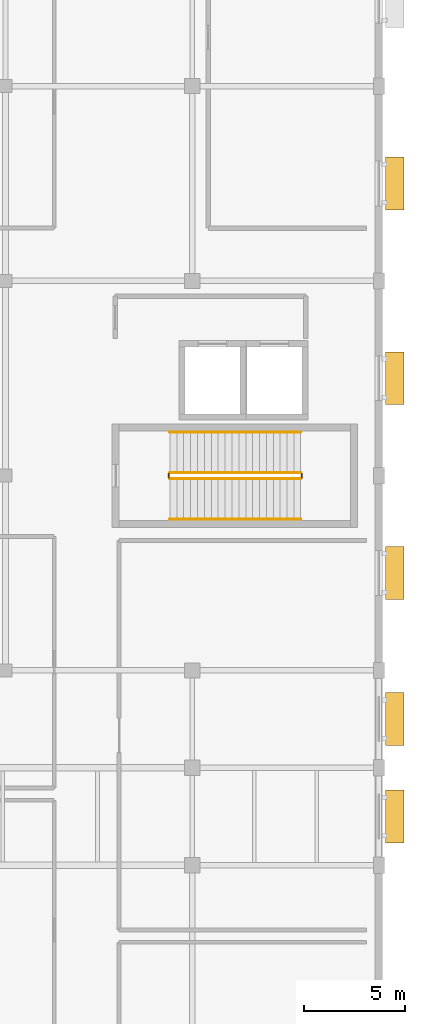
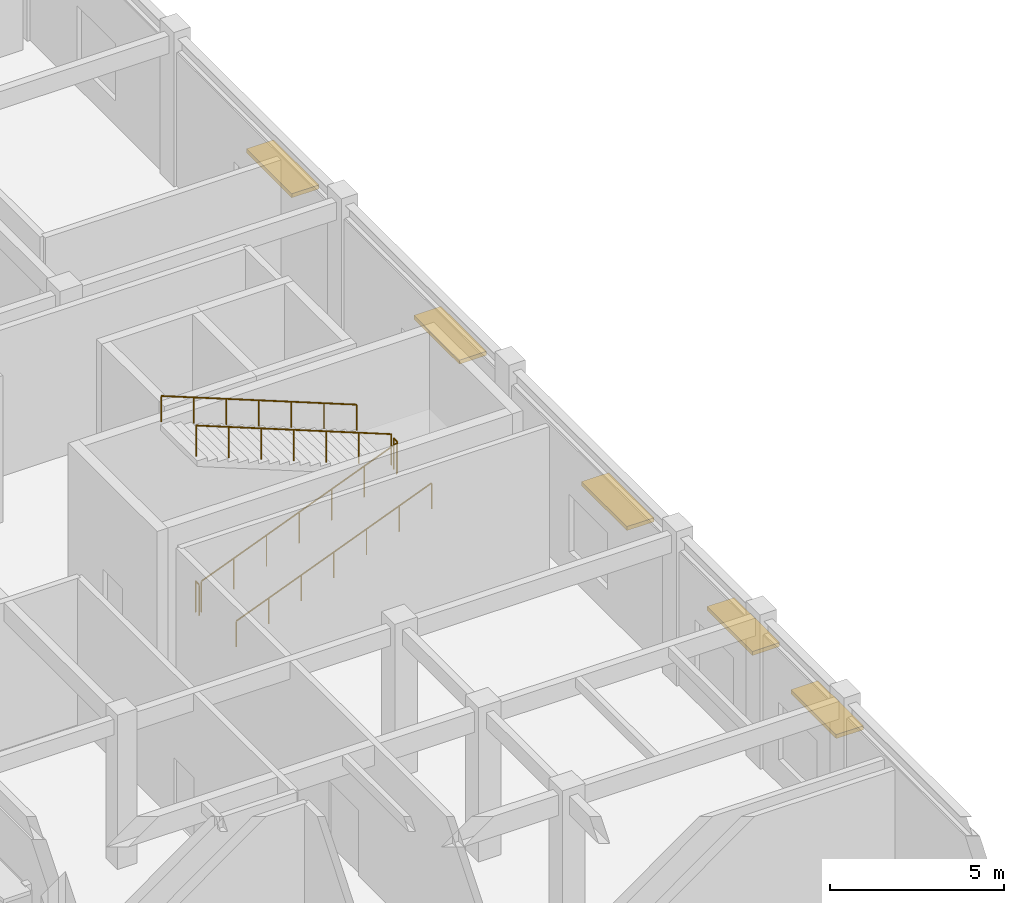
# One storey, part 70 of 72: 6 railings, 5 shading devices.
"""IFC4 building model written with IfcOpenShell, lengths in metres."""

from ifc_helpers import new_model, si_unit, direction, frame, origin, origin_2d, place, context, subcontext, project, spatial, rectangle, circle, extrude, material, type_object, element, save


model = new_model("IFC4")

# Units and contexts
model_context = context("Model", 3, precision=1e-05, world=origin(), true_north=direction((0.0, 1.0)))
body_context = subcontext(model_context, "Body", "Model", "MODEL_VIEW")
ifc_project = project(units=[si_unit("LENGTHUNIT", "METRE"), si_unit("AREAUNIT", "SQUARE_METRE"), si_unit("VOLUMEUNIT", "CUBIC_METRE"), si_unit("PLANEANGLEUNIT", "RADIAN"), si_unit("MASSUNIT", "GRAM", prefix="KILO")], contexts=[model_context])

# Site, building, storey
site_placement = place(None, origin())
site = spatial("IfcSite", under=ifc_project, at=site_placement, CompositionType="ELEMENT")
building_placement = place(site_placement, origin())
building = spatial("IfcBuilding", under=site, at=building_placement, Name="Veldera Park Congress Hotel", CompositionType="ELEMENT")
storey_placement = place(building_placement, frame((0.0, 0.0, 5.39990234375)))
storey = spatial("IfcBuildingStorey", under=building, at=storey_placement, Name="L01", CompositionType="ELEMENT", Elevation=5.39990234375)

# Railings
ifc_material_1 = material(Name="Steel ASTM A992 Gr.50", Category="steel")
railing_type_1 = type_object("IfcRailingType", Name="GRD-ST110", PredefinedType="GUARDRAIL", material=ifc_material_1)
railing_1_placement = place(storey_placement, frame((73.699951171875, -9.14990234375, 0.135009765625)))
element("IfcRailing", 1, at=railing_1_placement, inside=storey, type_object=railing_type_1, Name="L01 ST2 stair guard 1", PredefinedType="GUARDRAIL", context=body_context, shape_type="SweptSolid", body=[
    extrude(circle(Radius=0.02392578125, at=origin_2d()), frame((0.0, 0.0, 1.076171875), z_axis=(0.929406391584, 0.0, 0.369057934859), x_axis=(0.0, 1.0, 0.0)), (0.0, 0.0, 1.0), 6.95068359375),
    extrude(circle(Radius=0.02099609375, at=origin_2d()), origin(), (0.0, 0.0, 1.0), 1.052001953125),
    extrude(circle(Radius=0.02099609375, at=origin_2d()), frame((1.07666015625, 0.0, 0.427490234375)), (0.0, 0.0, 1.0), 1.052001953125),
    extrude(circle(Radius=0.02099609375, at=origin_2d()), frame((2.1533203125, 0.0, 0.85498046875)), (0.0, 0.0, 1.0), 1.052001953125),
    extrude(circle(Radius=0.02099609375, at=origin_2d()), frame((3.22998046875, 0.0, 1.28271484375)), (0.0, 0.0, 1.0), 1.052001953125),
    extrude(circle(Radius=0.02099609375, at=origin_2d()), frame((4.306640625, 0.0, 1.710205078125)), (0.0, 0.0, 1.0), 1.052001953125),
    extrude(circle(Radius=0.02099609375, at=origin_2d()), frame((5.38330078125, 0.0, 2.1376953125)), (0.0, 0.0, 1.0), 1.052001953125),
    extrude(circle(Radius=0.02099609375, at=origin_2d()), frame((6.4599609375, 0.0, 2.565185546875)), (0.0, 0.0, 1.0), 1.052001953125),
])
railing_2_placement = place(storey_placement, frame((80.2099609375, -9.10009765625, 2.7001953125)))
element("IfcRailing", 2, at=railing_2_placement, inside=storey, type_object=railing_type_1, Name="L01 ST2 stair guard 2", PredefinedType="GUARDRAIL", context=body_context, shape_type="SweptSolid", body=[
    extrude(circle(Radius=0.02392578125, at=origin_2d()), frame((0.0, 0.0, 1.076171875), z_axis=(0.0, 1.0, 0.0), x_axis=(-1.0, 0.0, 0.0)), (0.0, 0.0, 1.0), 0.2001953125),
    extrude(circle(Radius=0.02099609375, at=origin_2d()), origin(), (0.0, 0.0, 1.0), 1.052001953125),
    extrude(circle(Radius=0.02099609375, at=origin_2d()), frame((0.0, 0.2001953125, 0.0)), (0.0, 0.0, 1.0), 1.052001953125),
])
railing_3_placement = place(storey_placement, frame((80.159912109375, -8.85009765625, 2.835205078125)))
element("IfcRailing", 3, at=railing_3_placement, inside=storey, type_object=railing_type_1, Name="L01 ST2 stair guard 3", PredefinedType="GUARDRAIL", context=body_context, shape_type="SweptSolid", body=[
    extrude(circle(Radius=0.02392578125, at=origin_2d()), frame((0.0, 0.0, 1.076171875), z_axis=(-0.929418439274, 0.0, 0.369027593462), x_axis=(0.0, -1.0, 0.0)), (0.0, 0.0, 1.0), 6.950439453125),
    extrude(circle(Radius=0.02099609375, at=origin_2d()), origin(), (0.0, 0.0, 1.0), 1.052001953125),
    extrude(circle(Radius=0.02099609375, at=origin_2d()), frame((-1.07666015625, 0.0, 0.427490234375)), (0.0, 0.0, 1.0), 1.052001953125),
    extrude(circle(Radius=0.02099609375, at=origin_2d()), frame((-2.1533203125, 0.0, 0.85498046875)), (0.0, 0.0, 1.0), 1.052001953125),
    extrude(circle(Radius=0.02099609375, at=origin_2d()), frame((-3.22998046875, 0.0, 1.282470703125)), (0.0, 0.0, 1.0), 1.052001953125),
    extrude(circle(Radius=0.02099609375, at=origin_2d()), frame((-4.306640625, 0.0, 1.7099609375)), (0.0, 0.0, 1.0), 1.052001953125),
    extrude(circle(Radius=0.02099609375, at=origin_2d()), frame((-5.38330078125, 0.0, 2.137451171875)), (0.0, 0.0, 1.0), 1.052001953125),
    extrude(circle(Radius=0.02099609375, at=origin_2d()), frame((-6.4599609375, 0.0, 2.56494140625)), (0.0, 0.0, 1.0), 1.052001953125),
])
railing_4_placement = place(storey_placement, frame((73.64990234375, -9.10009765625, 0.0)))
element("IfcRailing", 4, at=railing_4_placement, inside=storey, type_object=railing_type_1, Name="L01 ST2 stair guard 4", PredefinedType="GUARDRAIL", context=body_context, shape_type="SweptSolid", body=[
    extrude(circle(Radius=0.02392578125, at=origin_2d()), frame((0.0, 0.0, 1.076171875), z_axis=(0.0, 1.0, 0.0), x_axis=(-1.0, 0.0, 0.0)), (0.0, 0.0, 1.0), 0.2001953125),
    extrude(circle(Radius=0.02099609375, at=origin_2d()), origin(), (0.0, 0.0, 1.0), 1.052001953125),
    extrude(circle(Radius=0.02099609375, at=origin_2d()), frame((0.0, 0.2001953125, 0.0)), (0.0, 0.0, 1.0), 1.052001953125),
])
railing_type_2 = type_object("IfcRailingType", Name="HRL-920", PredefinedType="HANDRAIL", material=ifc_material_1)
railing_5_placement = place(storey_placement, frame((73.699951171875, -11.14990234375, 0.135009765625)))
element("IfcRailing", 5, at=railing_5_placement, inside=storey, type_object=railing_type_2, Name="L01 ST2 stair handrail 1", PredefinedType="HANDRAIL", context=body_context, shape_type="SweptSolid", body=[
    extrude(circle(Radius=0.02392578125, at=origin_2d()), frame((0.0, 0.0, 0.89599609375), z_axis=(0.929406391584, 0.0, 0.369057934859), x_axis=(0.0, 1.0, 0.0)), (0.0, 0.0, 1.0), 6.95068359375),
    extrude(circle(Radius=0.02099609375, at=origin_2d()), origin(), (0.0, 0.0, 1.0), 0.871826171875),
    extrude(circle(Radius=0.02099609375, at=origin_2d()), frame((1.07666015625, 0.0, 0.427490234375)), (0.0, 0.0, 1.0), 0.871826171875),
    extrude(circle(Radius=0.02099609375, at=origin_2d()), frame((2.1533203125, 0.0, 0.85498046875)), (0.0, 0.0, 1.0), 0.871826171875),
    extrude(circle(Radius=0.02099609375, at=origin_2d()), frame((3.22998046875, 0.0, 1.28271484375)), (0.0, 0.0, 1.0), 0.871826171875),
    extrude(circle(Radius=0.02099609375, at=origin_2d()), frame((4.306640625, 0.0, 1.710205078125)), (0.0, 0.0, 1.0), 0.871826171875),
    extrude(circle(Radius=0.02099609375, at=origin_2d()), frame((5.38330078125, 0.0, 2.1376953125)), (0.0, 0.0, 1.0), 0.871826171875),
    extrude(circle(Radius=0.02099609375, at=origin_2d()), frame((6.4599609375, 0.0, 2.565185546875)), (0.0, 0.0, 1.0), 0.871826171875),
])
railing_6_placement = place(storey_placement, frame((80.159912109375, -6.85009765625, 2.835205078125)))
element("IfcRailing", 6, at=railing_6_placement, inside=storey, type_object=railing_type_2, Name="L01 ST2 stair handrail 2", PredefinedType="HANDRAIL", context=body_context, shape_type="SweptSolid", body=[
    extrude(circle(Radius=0.02392578125, at=origin_2d()), frame((0.0, 0.0, 0.89599609375), z_axis=(-0.929418439274, 0.0, 0.369027593462), x_axis=(0.0, -1.0, 0.0)), (0.0, 0.0, 1.0), 6.950439453125),
    extrude(circle(Radius=0.02099609375, at=origin_2d()), origin(), (0.0, 0.0, 1.0), 0.871826171875),
    extrude(circle(Radius=0.02099609375, at=origin_2d()), frame((-1.07666015625, 0.0, 0.427490234375)), (0.0, 0.0, 1.0), 0.871826171875),
    extrude(circle(Radius=0.02099609375, at=origin_2d()), frame((-2.1533203125, 0.0, 0.85498046875)), (0.0, 0.0, 1.0), 0.871826171875),
    extrude(circle(Radius=0.02099609375, at=origin_2d()), frame((-3.22998046875, 0.0, 1.282470703125)), (0.0, 0.0, 1.0), 0.871826171875),
    extrude(circle(Radius=0.02099609375, at=origin_2d()), frame((-4.306640625, 0.0, 1.7099609375)), (0.0, 0.0, 1.0), 0.871826171875),
    extrude(circle(Radius=0.02099609375, at=origin_2d()), frame((-5.38330078125, 0.0, 2.137451171875)), (0.0, 0.0, 1.0), 0.871826171875),
    extrude(circle(Radius=0.02099609375, at=origin_2d()), frame((-6.4599609375, 0.0, 2.56494140625)), (0.0, 0.0, 1.0), 0.871826171875),
])

# Shading devices
ifc_material_2 = material(Name="Glulam GL28h (NDS 24F-V4)", Category="wood")
shading_device_type = type_object("IfcShadingDeviceType", Name="SHD-SHF450", PredefinedType="AWNING", material=ifc_material_2)
for number, where, z_axis, x_axis, name in (
    (7, (84.7900390625, -25.800048828125, 2.8603515625), (0.0, 0.0, 1.0), (0.0, 1.0, 0.0), "Glulam Solar Shade 105"),
    (8, (84.7900390625, -21.0, 2.8603515625), (0.0, 0.0, 1.0), (0.0, 1.0, 0.0), "Glulam Solar Shade 106"),
    (9, (84.7900390625, -13.800048828125, 2.8603515625), (0.0, 0.0, 1.0), (0.0, 1.0, 0.0), "Glulam Solar Shade 107"),
    (10, (84.7900390625, -4.199951171875, 2.8603515625), (0.0, 0.0, 1.0), (0.0, 1.0, 0.0), "Glulam Solar Shade 108"),
    (11, (84.7900390625, 5.39990234375, 2.8603515625), (0.0, 0.0, 1.0), (0.0, 1.0, 0.0), "Glulam Solar Shade 109"),
):
    element("IfcShadingDevice", number, at=place(storey_placement, frame(where, z_axis=z_axis, x_axis=x_axis)), inside=storey, type_object=shading_device_type, Name=name, PredefinedType="AWNING", context=body_context, shape_type="SweptSolid", body=[
        extrude(rectangle(XDim=2.60009765625, YDim=0.89990234375, at=origin_2d()), origin(), (0.0, 0.0, 1.0), 0.139892578125),
    ])

save(model, "model.ifc")
